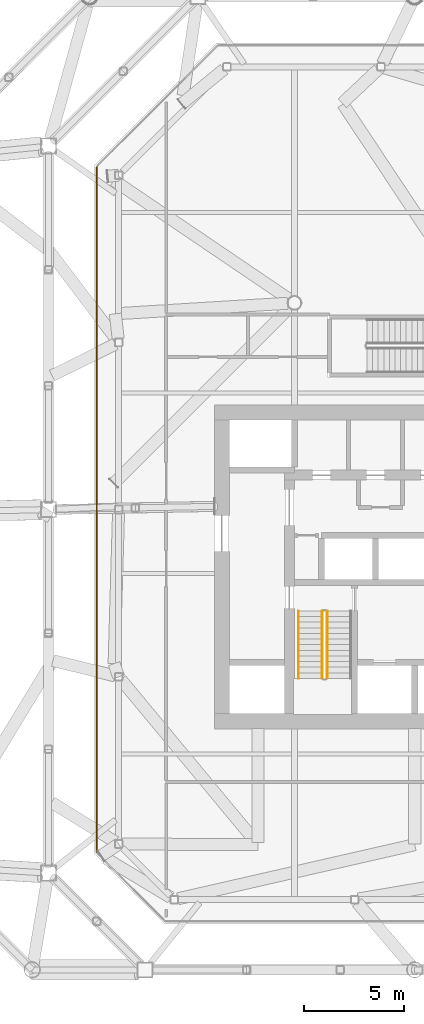
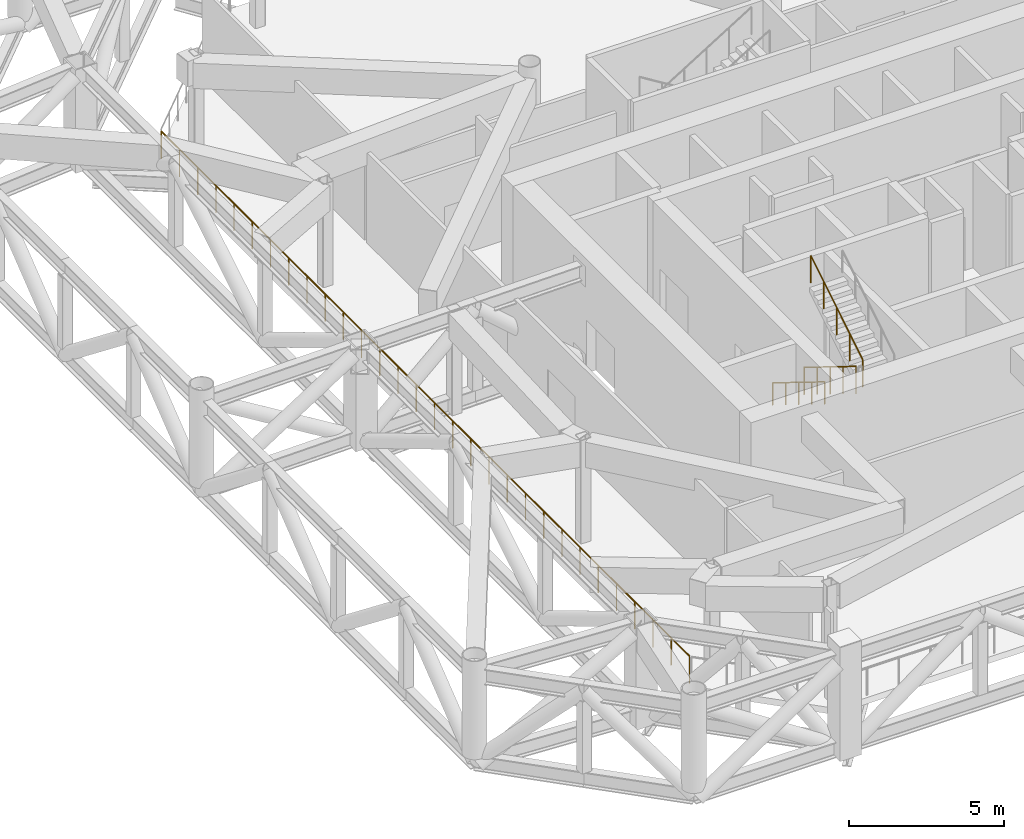
# One storey, part 18 of 21: 4 railings.
"""IFC4 building model written with IfcOpenShell, lengths in metres."""

from ifc_helpers import new_model, si_unit, direction, frame, origin, origin_2d, place, context, subcontext, project, spatial, circle, extrude, material, type_object, element, save


model = new_model("IFC4")

# Units and contexts
model_context = context("Model", 3, precision=1e-05, world=origin(), true_north=direction((0.0, 1.0)))
body_context = subcontext(model_context, "Body", "Model", "MODEL_VIEW")
ifc_project = project(units=[si_unit("LENGTHUNIT", "METRE"), si_unit("AREAUNIT", "SQUARE_METRE"), si_unit("VOLUMEUNIT", "CUBIC_METRE"), si_unit("PLANEANGLEUNIT", "RADIAN"), si_unit("MASSUNIT", "GRAM", prefix="KILO")], contexts=[model_context])

# Site, building, storey
site_placement = place(None, origin())
site = spatial("IfcSite", under=ifc_project, at=site_placement, CompositionType="ELEMENT")
building_placement = place(site_placement, origin())
building = spatial("IfcBuilding", under=site, at=building_placement, Name="Tskaro Facet Tower", CompositionType="ELEMENT")
storey_placement = place(building_placement, frame((0.0, 0.0, 167.699951171875)))
storey = spatial("IfcBuildingStorey", under=building, at=storey_placement, Name="L41", CompositionType="ELEMENT", Elevation=167.699951171875)

# Railings
ifc_material_1 = material(Name="Bronze anodised aluminium 6063-T6", Category="aluminium")
railing_type_1 = type_object("IfcRailingType", Name="Bronze guard rail (GD1)", PredefinedType="GUARDRAIL", material=ifc_material_1)
railing_1_placement = place(storey_placement, frame((-18.85400390625, 15.77001953125, 0.0)))
element("IfcRailing", 1, at=railing_1_placement, inside=storey, type_object=railing_type_1, Name="Guard L41", PredefinedType="GUARDRAIL", context=body_context, shape_type="SweptSolid", body=[
    extrude(circle(Radius=0.02490234375, at=origin_2d()), frame((0.0, 0.0, 1.0751953125), z_axis=(0.0, -1.0, 0.0), x_axis=(1.0, 0.0, 0.0)), (0.0, 0.0, 1.0), 34.1708984375),
    extrude(circle(Radius=0.02001953125, at=origin_2d()), origin(), (0.0, 0.0, 1.0), 1.050048828125),
    extrude(circle(Radius=0.02001953125, at=origin_2d()), frame((0.0, -1.17822265625, 0.0)), (0.0, 0.0, 1.0), 1.050048828125),
    extrude(circle(Radius=0.02001953125, at=origin_2d()), frame((0.0, -2.356689453125, 0.0)), (0.0, 0.0, 1.0), 1.050048828125),
    extrude(circle(Radius=0.02001953125, at=origin_2d()), frame((0.0, -3.534912109375, 0.0)), (0.0, 0.0, 1.0), 1.050048828125),
    extrude(circle(Radius=0.02001953125, at=origin_2d()), frame((0.0, -4.713134765625, 0.0)), (0.0, 0.0, 1.0), 1.050048828125),
    extrude(circle(Radius=0.02001953125, at=origin_2d()), frame((0.0, -5.8916015625, 0.0)), (0.0, 0.0, 1.0), 1.050048828125),
    extrude(circle(Radius=0.02001953125, at=origin_2d()), frame((0.0, -7.06982421875, 0.0)), (0.0, 0.0, 1.0), 1.050048828125),
    extrude(circle(Radius=0.02001953125, at=origin_2d()), frame((0.0, -8.248046875, 0.0)), (0.0, 0.0, 1.0), 1.050048828125),
    extrude(circle(Radius=0.02001953125, at=origin_2d()), frame((0.0, -9.426513671875, 0.0)), (0.0, 0.0, 1.0), 1.050048828125),
    extrude(circle(Radius=0.02001953125, at=origin_2d()), frame((0.0, -10.604736328125, 0.0)), (0.0, 0.0, 1.0), 1.050048828125),
    extrude(circle(Radius=0.02001953125, at=origin_2d()), frame((0.0, -11.782958984375, 0.0)), (0.0, 0.0, 1.0), 1.050048828125),
    extrude(circle(Radius=0.02001953125, at=origin_2d()), frame((0.0, -12.96142578125, 0.0)), (0.0, 0.0, 1.0), 1.050048828125),
    extrude(circle(Radius=0.02001953125, at=origin_2d()), frame((0.0, -14.1396484375, 0.0)), (0.0, 0.0, 1.0), 1.050048828125),
    extrude(circle(Radius=0.02001953125, at=origin_2d()), frame((0.0, -15.31787109375, 0.0)), (0.0, 0.0, 1.0), 1.050048828125),
    extrude(circle(Radius=0.02001953125, at=origin_2d()), frame((0.0, -16.496337890625, 0.0)), (0.0, 0.0, 1.0), 1.050048828125),
    extrude(circle(Radius=0.02001953125, at=origin_2d()), frame((0.0, -17.674560546875, 0.0)), (0.0, 0.0, 1.0), 1.050048828125),
    extrude(circle(Radius=0.02001953125, at=origin_2d()), frame((0.0, -18.85302734375, 0.0)), (0.0, 0.0, 1.0), 1.050048828125),
    extrude(circle(Radius=0.02001953125, at=origin_2d()), frame((0.0, -20.03125, 0.0)), (0.0, 0.0, 1.0), 1.050048828125),
    extrude(circle(Radius=0.02001953125, at=origin_2d()), frame((0.0, -21.20947265625, 0.0)), (0.0, 0.0, 1.0), 1.050048828125),
    extrude(circle(Radius=0.02001953125, at=origin_2d()), frame((0.0, -22.387939453125, 0.0)), (0.0, 0.0, 1.0), 1.050048828125),
    extrude(circle(Radius=0.02001953125, at=origin_2d()), frame((0.0, -23.566162109375, 0.0)), (0.0, 0.0, 1.0), 1.050048828125),
    extrude(circle(Radius=0.02001953125, at=origin_2d()), frame((0.0, -24.744384765625, 0.0)), (0.0, 0.0, 1.0), 1.050048828125),
    extrude(circle(Radius=0.02001953125, at=origin_2d()), frame((0.0, -25.9228515625, 0.0)), (0.0, 0.0, 1.0), 1.050048828125),
    extrude(circle(Radius=0.02001953125, at=origin_2d()), frame((0.0, -27.10107421875, 0.0)), (0.0, 0.0, 1.0), 1.050048828125),
    extrude(circle(Radius=0.02001953125, at=origin_2d()), frame((0.0, -28.279296875, 0.0)), (0.0, 0.0, 1.0), 1.050048828125),
    extrude(circle(Radius=0.02001953125, at=origin_2d()), frame((0.0, -29.457763671875, 0.0)), (0.0, 0.0, 1.0), 1.050048828125),
    extrude(circle(Radius=0.02001953125, at=origin_2d()), frame((0.0, -30.635986328125, 0.0)), (0.0, 0.0, 1.0), 1.050048828125),
    extrude(circle(Radius=0.02001953125, at=origin_2d()), frame((0.0, -31.814208984375, 0.0)), (0.0, 0.0, 1.0), 1.050048828125),
    extrude(circle(Radius=0.02001953125, at=origin_2d()), frame((0.0, -32.99267578125, 0.0)), (0.0, 0.0, 1.0), 1.050048828125),
    extrude(circle(Radius=0.02001953125, at=origin_2d()), frame((0.0, -34.1708984375, 0.0)), (0.0, 0.0, 1.0), 1.050048828125),
])
ifc_material_2 = material(Name="Stainless steel", Category="steel")
railing_type_2 = type_object("IfcRailingType", Name="RL-GUARD-1100", PredefinedType="GUARDRAIL", material=ifc_material_2)
railing_2_placement = place(storey_placement, frame((-7.625, -6.375, 0.173095703125)))
element("IfcRailing", 2, at=railing_2_placement, inside=storey, type_object=railing_type_2, Name="L41 ST-1 stair guard 1", PredefinedType="GUARDRAIL", context=body_context, shape_type="SweptSolid", body=[
    extrude(circle(Radius=0.02392578125, at=origin_2d()), frame((0.0, 0.0, 1.076171875), z_axis=(0.0, -0.850623216509, 0.525775754039), x_axis=(1.0, 0.0, 0.0)), (0.0, 0.0, 1.0), 3.9501953125),
    extrude(circle(Radius=0.02099609375, at=origin_2d()), origin(), (0.0, 0.0, 1.0), 1.052001953125),
    extrude(circle(Radius=0.02099609375, at=origin_2d()), frame((0.0, -0.840087890625, 0.519287109375)), (0.0, 0.0, 1.0), 1.052001953125),
    extrude(circle(Radius=0.02099609375, at=origin_2d()), frame((0.0, -1.68017578125, 1.03857421875)), (0.0, 0.0, 1.0), 1.052001953125),
    extrude(circle(Radius=0.02099609375, at=origin_2d()), frame((0.0, -2.52001953125, 1.5576171875)), (0.0, 0.0, 1.0), 1.052001953125),
    extrude(circle(Radius=0.02099609375, at=origin_2d()), frame((0.0, -3.360107421875, 2.076904296875)), (0.0, 0.0, 1.0), 1.052001953125),
])
railing_3_placement = place(storey_placement, frame((-7.375, -9.735107421875, 2.423095703125)))
element("IfcRailing", 3, at=railing_3_placement, inside=storey, type_object=railing_type_2, Name="L41 ST-1 stair guard 3", PredefinedType="GUARDRAIL", context=body_context, shape_type="SweptSolid", body=[
    extrude(circle(Radius=0.02392578125, at=origin_2d()), frame((0.0, 0.0, 1.076171875), z_axis=(0.0, 0.850623216509, 0.525775754039), x_axis=(-1.0, 0.0, 0.0)), (0.0, 0.0, 1.0), 3.9501953125),
    extrude(circle(Radius=0.02099609375, at=origin_2d()), origin(), (0.0, 0.0, 1.0), 1.052001953125),
    extrude(circle(Radius=0.02099609375, at=origin_2d()), frame((0.0, 0.840087890625, 0.519287109375)), (0.0, 0.0, 1.0), 1.052001953125),
    extrude(circle(Radius=0.02099609375, at=origin_2d()), frame((0.0, 1.68017578125, 1.03857421875)), (0.0, 0.0, 1.0), 1.052001953125),
    extrude(circle(Radius=0.02099609375, at=origin_2d()), frame((0.0, 2.52001953125, 1.5576171875)), (0.0, 0.0, 1.0), 1.052001953125),
    extrude(circle(Radius=0.02099609375, at=origin_2d()), frame((0.0, 3.360107421875, 2.076904296875)), (0.0, 0.0, 1.0), 1.052001953125),
])
railing_type_3 = type_object("IfcRailingType", Name="RL-HANDRAIL-900", PredefinedType="HANDRAIL", material=ifc_material_2)
railing_4_placement = place(storey_placement, frame((-8.800048828125, -6.375, 0.173095703125)))
element("IfcRailing", 4, at=railing_4_placement, inside=storey, type_object=railing_type_3, Name="L41 ST-1 stair handrail 1", PredefinedType="HANDRAIL", context=body_context, shape_type="SweptSolid", body=[
    extrude(circle(Radius=0.02392578125, at=origin_2d()), frame((0.0, 0.0, 0.8759765625), z_axis=(0.0, -0.850623216509, 0.525775754039), x_axis=(1.0, 0.0, 0.0)), (0.0, 0.0, 1.0), 3.9501953125),
    extrude(circle(Radius=0.02099609375, at=origin_2d()), origin(), (0.0, 0.0, 1.0), 0.851806640625),
    extrude(circle(Radius=0.02099609375, at=origin_2d()), frame((0.0, -0.840087890625, 0.519287109375)), (0.0, 0.0, 1.0), 0.851806640625),
    extrude(circle(Radius=0.02099609375, at=origin_2d()), frame((0.0, -1.68017578125, 1.03857421875)), (0.0, 0.0, 1.0), 0.851806640625),
    extrude(circle(Radius=0.02099609375, at=origin_2d()), frame((0.0, -2.52001953125, 1.5576171875)), (0.0, 0.0, 1.0), 0.851806640625),
    extrude(circle(Radius=0.02099609375, at=origin_2d()), frame((0.0, -3.360107421875, 2.076904296875)), (0.0, 0.0, 1.0), 0.851806640625),
])

save(model, "model.ifc")
